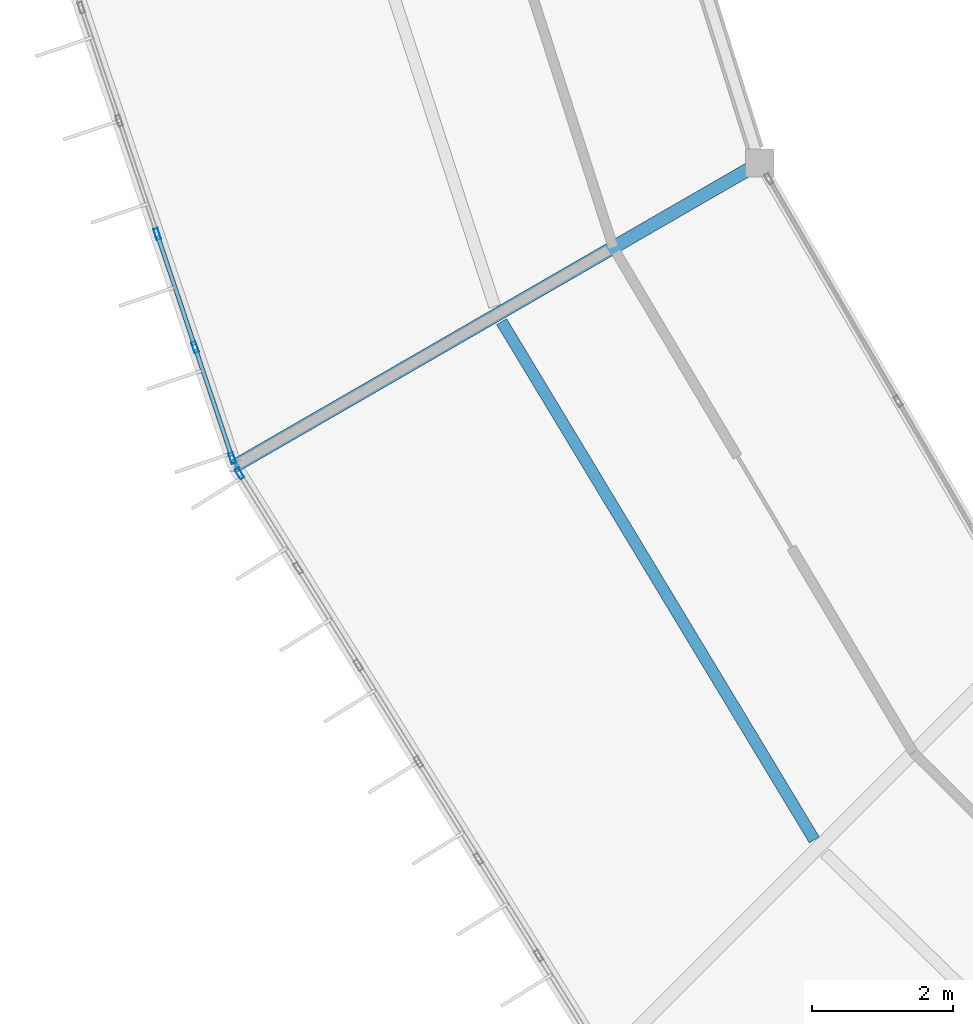
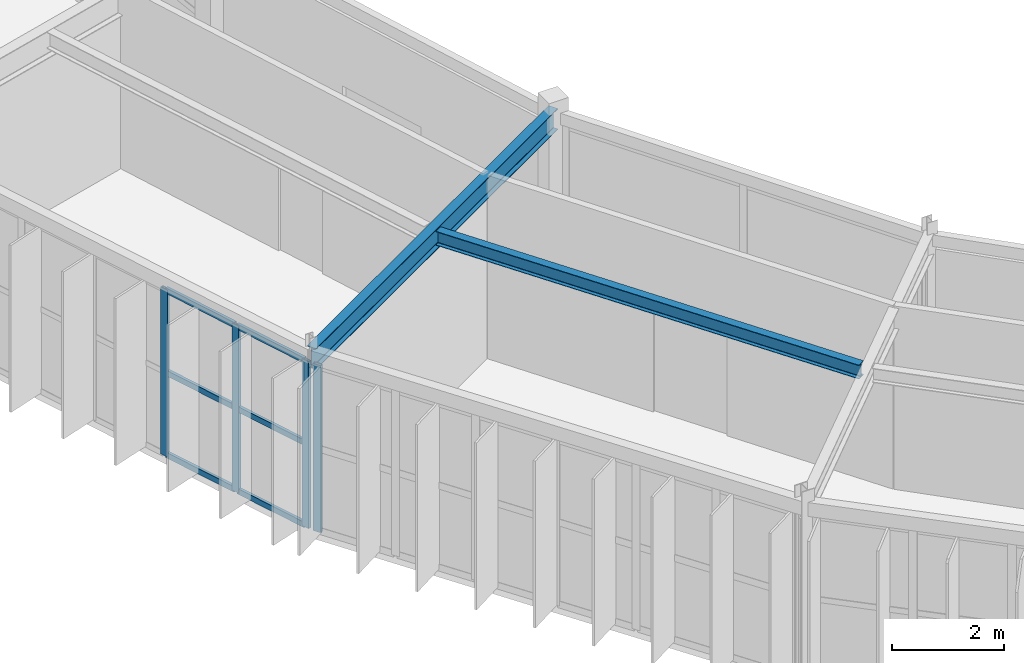
# One storey, part 35 of 157: 10 members, 2 beams, 2 elements without a shape of their own.
"""IFC4 building model written with IfcOpenShell, lengths in metres."""

from ifc_helpers import new_model, si_unit, direction, frame, origin, origin_2d, place, context, subcontext, project, spatial, hollow_rectangle, i_section, extrude, material, material_profile, profile_set, type_object, element, aggregate, save


model = new_model("IFC4")

# Units and contexts
model_context = context("Model", 3, precision=1e-05, world=origin(), true_north=direction((0.0, 1.0)))
body_context = subcontext(model_context, "Body", "Model", "MODEL_VIEW")
ifc_project = project(units=[si_unit("LENGTHUNIT", "METRE"), si_unit("AREAUNIT", "SQUARE_METRE"), si_unit("VOLUMEUNIT", "CUBIC_METRE"), si_unit("PLANEANGLEUNIT", "RADIAN"), si_unit("MASSUNIT", "GRAM", prefix="KILO")], contexts=[model_context])

# Site, building, storey
site_placement = place(None, origin())
site = spatial("IfcSite", under=ifc_project, at=site_placement, CompositionType="ELEMENT")
building_placement = place(site_placement, origin())
building = spatial("IfcBuilding", under=site, at=building_placement, Name="Karori Crest Natural Sciences Institute", CompositionType="ELEMENT")
storey_placement = place(building_placement, frame((0.0, 0.0, 13.300048828125)))
storey = spatial("IfcBuildingStorey", under=building, at=storey_placement, Name="L03", CompositionType="ELEMENT", Elevation=13.300048828125)

# Beams
ifc_material_1 = material(Name="Structural steel AS/NZS 3679.1 Grade 350", Category="steel")
ifc_material_profile_1 = material_profile(ifc_material_1, i_section(OverallWidth=0.1650390625, OverallDepth=0.303955078125, WebThickness=0.006103515625, FlangeThickness=0.01025390625, FilletRadius=0.010986328125, at=origin_2d()), Name="310UB40.4")
ifc_profile_set_1 = profile_set([ifc_material_profile_1], Name="Structural steel AS/NZS 3679.1 Grade 350")
beam_type_1 = type_object("IfcBeamType", Name="BT-10", PredefinedType="BEAM", material=ifc_profile_set_1)
beam_1_placement = place(storey_placement, frame((41.607177734375, 31.54736328125, 3.787841796875), z_axis=(0.516601017309, -0.856226248672, 0.0), x_axis=(0.856226248672, 0.516601017309, 0.0)))
element("IfcBeam", 1, at=beam_1_placement, inside=storey, type_object=beam_type_1, Name="Beam B-0415", PredefinedType="BEAM", context=body_context, shape_type="SweptSolid", body=[
    extrude(i_section(OverallWidth=0.1650390625, OverallDepth=0.303955078125, WebThickness=0.006103515625, FlangeThickness=0.01025390625, FilletRadius=0.010986328125, at=origin_2d()), origin(), (0.0, 0.0, 1.0), 8.5888671875),
])
ifc_material_profile_2 = material_profile(ifc_material_1, i_section(OverallWidth=0.18994140625, OverallDepth=0.4541015625, WebThickness=0.008544921875, FlangeThickness=0.0126953125, FilletRadius=0.010986328125, at=origin_2d()), Name="460UB67.1")
ifc_profile_set_2 = profile_set([ifc_material_profile_2], Name="Structural steel AS/NZS 3679.1 Grade 350")
beam_type_2 = type_object("IfcBeamType", Name="BT-28", PredefinedType="BEAM", material=ifc_profile_set_2)
beam_2_placement = place(storey_placement, frame((45.26904296875, 33.800048828125, 3.712890625), z_axis=(-0.866021068297, -0.500007509209, 0.0), x_axis=(0.500007509209, -0.866021068297, 0.0)))
element("IfcBeam", 2, at=beam_2_placement, inside=storey, type_object=beam_type_2, Name="Beam B-0414", PredefinedType="BEAM", context=body_context, shape_type="SweptSolid", body=[
    extrude(i_section(OverallWidth=0.18994140625, OverallDepth=0.4541015625, WebThickness=0.008544921875, FlangeThickness=0.0126953125, FilletRadius=0.010986328125, at=origin_2d()), origin(), (0.0, 0.0, 1.0), 8.599853515625),
])

# Curtain wall, members
ifc_material_2 = material(Name="Anodised architectural aluminium 6063-T6", Category="aluminium")
curtain_wall_type_1 = type_object("IfcCurtainWallType", Name="CWT-04", PredefinedType="NOTDEFINED", material=ifc_material_2)
curtain_wall_1_placement = place(storey_placement, origin())
curtain_wall_1 = element("IfcCurtainWall", 3, at=curtain_wall_1_placement, inside=storey, type_object=curtain_wall_type_1, Name="Curtain wall CW-0120", PredefinedType="NOTDEFINED")
ifc_material_profile_3 = material_profile(ifc_material_2, hollow_rectangle(XDim=0.06494140625, YDim=0.159912109375, WallThickness=0.00390625, at=origin_2d()), Name="CWM160x65x4")
ifc_profile_set_3 = profile_set([ifc_material_profile_3], Name="Anodised architectural aluminium 6063-T6")
member_type_1 = type_object("IfcMemberType", Name="CWM-01", PredefinedType="MULLION", material=ifc_profile_set_3)
member_1_placement = place(storey_placement, frame((37.784423828125, 29.60986328125, 0.0), z_axis=(0.0, 0.0, 1.0), x_axis=(-0.94819805026, -0.317679803392, 0.0)))
member_1 = element("IfcMember", 4, at=member_1_placement, type_object=member_type_1, Name="CW-0120 mullion 1", PredefinedType="MULLION", context=body_context, shape_type="SweptSolid", body=[
    extrude(hollow_rectangle(XDim=0.06494140625, YDim=0.159912109375, WallThickness=0.00390625, at=origin_2d()), origin(), (0.0, 0.0, 1.0), 3.625),
])
member_2_placement = place(storey_placement, frame((37.256591796875, 31.18505859375, 0.0), z_axis=(0.0, 0.0, 1.0), x_axis=(-0.94819805026, -0.317679803392, 0.0)))
member_2 = element("IfcMember", 5, at=member_2_placement, type_object=member_type_1, Name="CW-0120 mullion 2", PredefinedType="MULLION", context=body_context, shape_type="SweptSolid", body=[
    extrude(hollow_rectangle(XDim=0.06494140625, YDim=0.159912109375, WallThickness=0.00390625, at=origin_2d()), origin(), (0.0, 0.0, 1.0), 3.625),
])
member_3_placement = place(storey_placement, frame((36.718505859375, 32.791015625, 0.0), z_axis=(0.0, 0.0, 1.0), x_axis=(-0.94819805026, -0.317679803392, 0.0)))
member_3 = element("IfcMember", 6, at=member_3_placement, type_object=member_type_1, Name="CW-0120 mullion 3", PredefinedType="MULLION", context=body_context, shape_type="SweptSolid", body=[
    extrude(hollow_rectangle(XDim=0.06494140625, YDim=0.159912109375, WallThickness=0.00390625, at=origin_2d()), origin(), (0.0, 0.0, 1.0), 3.625),
])

# Curtain wall, member
curtain_wall_type_2 = type_object("IfcCurtainWallType", Name="CWT-05", PredefinedType="NOTDEFINED", material=ifc_material_2)
curtain_wall_2_placement = place(storey_placement, origin())
curtain_wall_2 = element("IfcCurtainWall", 7, at=curtain_wall_2_placement, inside=storey, type_object=curtain_wall_type_2, Name="Curtain wall CW-0121", PredefinedType="NOTDEFINED")
member_4_placement = place(storey_placement, frame((37.887451171875, 29.39306640625, 0.0), z_axis=(0.0, 0.0, 1.0), x_axis=(-0.849661985715, -0.527327706489, 0.0)))
member_4 = element("IfcMember", 8, at=member_4_placement, type_object=member_type_1, Name="CW-0121 mullion 7", PredefinedType="MULLION", context=body_context, shape_type="SweptSolid", body=[
    extrude(hollow_rectangle(XDim=0.06494140625, YDim=0.159912109375, WallThickness=0.00390625, at=origin_2d()), origin(), (0.0, 0.0, 1.0), 3.625),
])
aggregate(curtain_wall_2, [member_4])

# Member
ifc_material_profile_4 = material_profile(ifc_material_2, hollow_rectangle(XDim=0.06005859375, YDim=0.1201171875, WallThickness=0.00390625, at=origin_2d()), Name="CWT120x60x4")
ifc_profile_set_4 = profile_set([ifc_material_profile_4], Name="Anodised architectural aluminium 6063-T6")
member_type_2 = type_object("IfcMemberType", Name="CWT-TR1", PredefinedType="USERDEFINED", material=ifc_profile_set_4)
member_5_placement = place(storey_placement, frame((37.774169921875, 29.640625, 0.030029296875), z_axis=(-0.317787218054, 0.948162055791, 0.0), x_axis=(-0.948162055791, -0.317787218054, 0.0)))
member_5 = element("IfcMember", 9, at=member_5_placement, type_object=member_type_2, Name="CW-0120 transom 1.1", ObjectType="TRANSOM", PredefinedType="USERDEFINED", context=body_context, shape_type="SweptSolid", body=[
    extrude(hollow_rectangle(XDim=0.06005859375, YDim=0.1201171875, WallThickness=0.00390625, at=origin_2d()), origin(), (0.0, 0.0, 1.0), 1.596435546875),
])

member_6_placement = place(storey_placement, frame((37.774169921875, 29.640625, 1.8125), z_axis=(-0.317787218054, 0.948162055791, 0.0), x_axis=(-0.948162055791, -0.317787218054, 0.0)))
member_6 = element("IfcMember", 10, at=member_6_placement, type_object=member_type_2, Name="CW-0120 transom 1.2", ObjectType="TRANSOM", PredefinedType="USERDEFINED", context=body_context, shape_type="SweptSolid", body=[
    extrude(hollow_rectangle(XDim=0.06005859375, YDim=0.1201171875, WallThickness=0.00390625, at=origin_2d()), origin(), (0.0, 0.0, 1.0), 1.596435546875),
])

member_7_placement = place(storey_placement, frame((37.774169921875, 29.640625, 3.594970703125), z_axis=(-0.317787218054, 0.948162055791, 0.0), x_axis=(-0.948162055791, -0.317787218054, 0.0)))
member_7 = element("IfcMember", 11, at=member_7_placement, type_object=member_type_2, Name="CW-0120 transom 1.3", ObjectType="TRANSOM", PredefinedType="USERDEFINED", context=body_context, shape_type="SweptSolid", body=[
    extrude(hollow_rectangle(XDim=0.06005859375, YDim=0.1201171875, WallThickness=0.00390625, at=origin_2d()), origin(), (0.0, 0.0, 1.0), 1.596435546875),
])

member_8_placement = place(storey_placement, frame((37.246337890625, 31.2158203125, 0.030029296875), z_axis=(-0.317621421426, 0.948217608279, 0.0), x_axis=(-0.948217608279, -0.317621421426, 0.0)))
member_8 = element("IfcMember", 12, at=member_8_placement, type_object=member_type_2, Name="CW-0120 transom 2.1", ObjectType="TRANSOM", PredefinedType="USERDEFINED", context=body_context, shape_type="SweptSolid", body=[
    extrude(hollow_rectangle(XDim=0.06005859375, YDim=0.1201171875, WallThickness=0.00390625, at=origin_2d()), origin(), (0.0, 0.0, 1.0), 1.628662109375),
])

member_9_placement = place(storey_placement, frame((37.246337890625, 31.2158203125, 1.8125), z_axis=(-0.317621421426, 0.948217608279, 0.0), x_axis=(-0.948217608279, -0.317621421426, 0.0)))
member_9 = element("IfcMember", 13, at=member_9_placement, type_object=member_type_2, Name="CW-0120 transom 2.2", ObjectType="TRANSOM", PredefinedType="USERDEFINED", context=body_context, shape_type="SweptSolid", body=[
    extrude(hollow_rectangle(XDim=0.06005859375, YDim=0.1201171875, WallThickness=0.00390625, at=origin_2d()), origin(), (0.0, 0.0, 1.0), 1.628662109375),
])

member_10_placement = place(storey_placement, frame((37.246337890625, 31.2158203125, 3.594970703125), z_axis=(-0.317621421426, 0.948217608279, 0.0), x_axis=(-0.948217608279, -0.317621421426, 0.0)))
member_10 = element("IfcMember", 14, at=member_10_placement, type_object=member_type_2, Name="CW-0120 transom 2.3", ObjectType="TRANSOM", PredefinedType="USERDEFINED", context=body_context, shape_type="SweptSolid", body=[
    extrude(hollow_rectangle(XDim=0.06005859375, YDim=0.1201171875, WallThickness=0.00390625, at=origin_2d()), origin(), (0.0, 0.0, 1.0), 1.628662109375),
])

aggregate(curtain_wall_1, [member_1, member_2, member_3, member_5, member_6, member_7, member_8, member_9, member_10])

save(model, "model.ifc")
